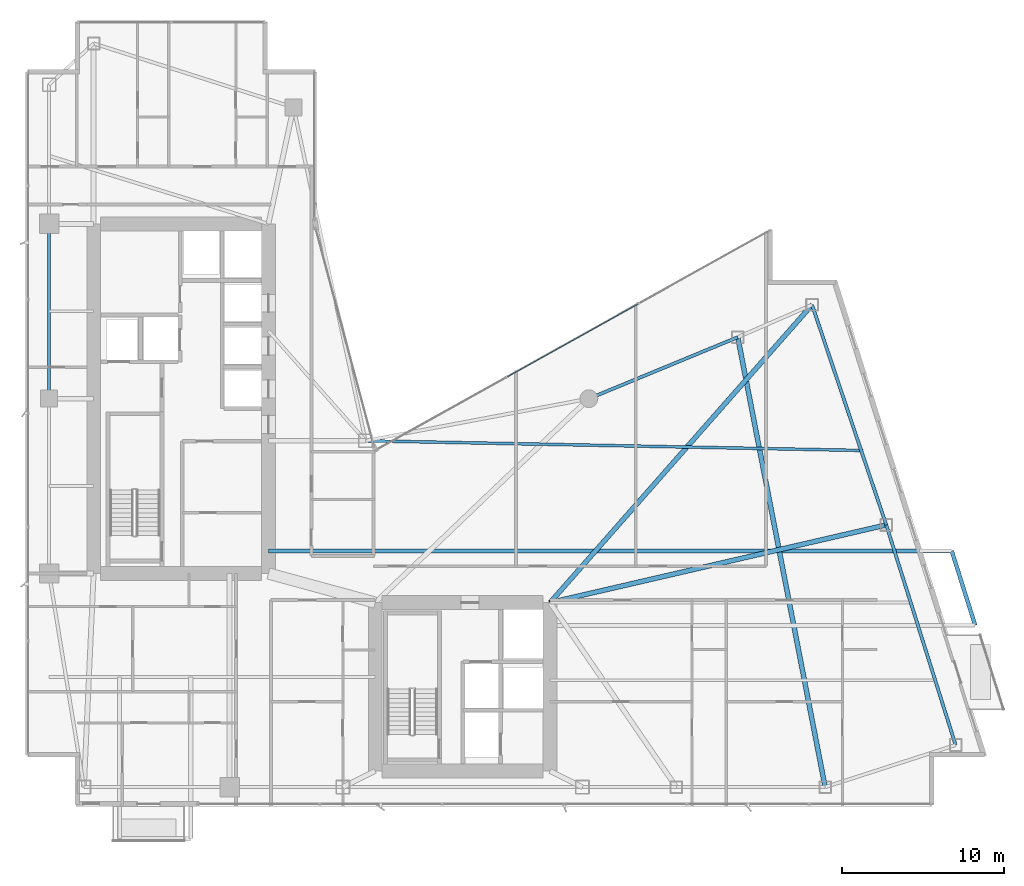
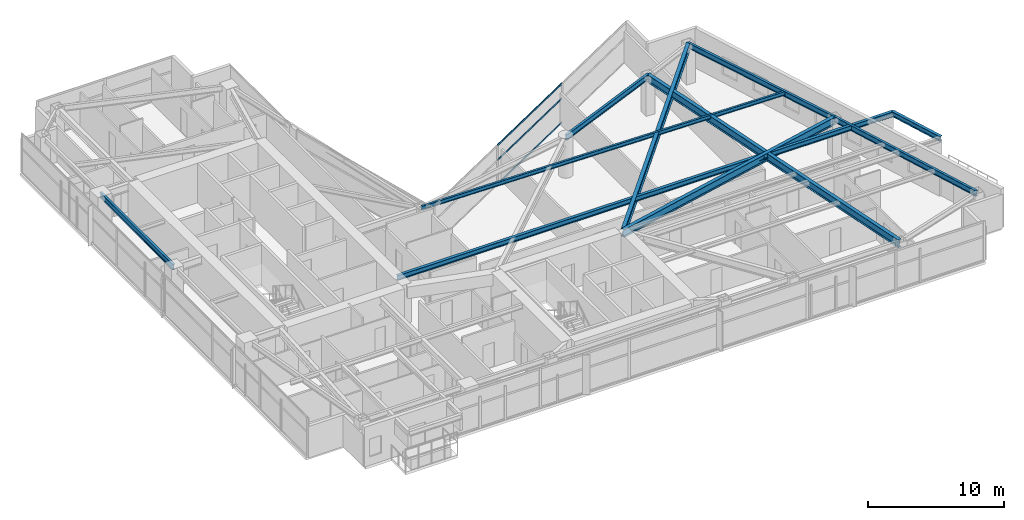
# One storey, part 15 of 28: 10 beams, 3 members, 1 element without a shape of its own.
"""IFC4 building model written with IfcOpenShell, lengths in metres."""

import ifcopenshell
import ifcopenshell.guid

model = None  # the IFC model being written
_history = None  # IfcOwnerHistory: only IFC2X3 demands one
_inside = {}  # id of a spatial element -> (the spatial element, [elements in it])
_under = {}  # id of a project, library or spatial element -> (it, [spatial elements below it])
_declared = {}  # id of a project -> (the project, [libraries it declares])
_typed = {}  # id of a type object -> (the type object, [elements of that type])
_made_of = {}  # id of a material, layer set ... -> (it, [elements and type objects made of it])


def new_model(schema):
    """Start an empty IFC model of exactly this schema.

    Asked for "IFC4X3", IfcOpenShell would pick the latest addendum, in which some entities
    have other attributes; the version numbers below select the first issue.
    IFC2X3 requires an IfcOwnerHistory on every rooted entity: one is made here for all.
    """
    global model, _history
    if schema == "IFC4X3":
        model = ifcopenshell.file(schema_version=(4, 3, 0, 0))
    else:
        model = ifcopenshell.file(schema=schema)
    _inside.clear()
    _under.clear()
    _declared.clear()
    _typed.clear()
    _made_of.clear()
    _history = None
    if model.schema == "IFC2X3":
        org = make("IfcOrganization", Name="unknown")
        user = make(
            "IfcPersonAndOrganization",
            ThePerson=make("IfcPerson", FamilyName="unknown"),
            TheOrganization=org,
        )
        app = make(
            "IfcApplication",
            ApplicationDeveloper=org,
            Version="unknown",
            ApplicationFullName="unknown",
            ApplicationIdentifier="unknown",
        )
        _history = make(
            "IfcOwnerHistory",
            OwningUser=user,
            OwningApplication=app,
            ChangeAction="ADDED",
            CreationDate=0,
        )
    return model


def make(cls, **values):
    """One entity of the class cls with the attributes given. An attribute that is None is left unset."""
    return model.create_entity(
        cls, **{name: value for name, value in values.items() if value is not None}
    )


def rooted(cls, **values):
    """An entity with a GlobalId (a new one), such as an element, a storey or a relation."""
    return make(cls, GlobalId=ifcopenshell.guid.new(), OwnerHistory=_history, **values)


def si_unit(unit_type, name, prefix=None):
    """IfcSIUnit, for example si_unit("LENGTHUNIT", "METRE", prefix="MILLI")."""
    return make("IfcSIUnit", UnitType=unit_type, Prefix=prefix, Name=name)


def assignment(units):
    """IfcUnitAssignment: the units of a project."""
    return None if units is None else make("IfcUnitAssignment", Units=units)


def point(xyz):
    """IfcCartesianPoint."""
    return None if xyz is None else make("IfcCartesianPoint", Coordinates=xyz)


def direction(xyz):
    """IfcDirection."""
    return None if xyz is None else make("IfcDirection", DirectionRatios=xyz)


def frame(location, z_axis=None, x_axis=None):
    """IfcAxis2Placement3D, a coordinate frame: its origin and axes. An axis left out is left unset."""
    return make(
        "IfcAxis2Placement3D",
        Location=point(location),
        Axis=direction(z_axis),
        RefDirection=direction(x_axis),
    )


def frame_2d(location, x_axis=None):
    """IfcAxis2Placement2D, a coordinate frame in the plane: its origin and x axis."""
    return make(
        "IfcAxis2Placement2D", Location=point(location), RefDirection=direction(x_axis)
    )


def origin():
    """The frame at (0, 0, 0) with its axes left unset."""
    return frame((0.0, 0.0, 0.0))


def origin_2d():
    """The frame at (0, 0) in the plane with its x axis left unset."""
    return frame_2d((0.0, 0.0))


def place(relative_to, where):
    """IfcLocalPlacement: puts the frame where relative to a parent placement (None: the world)."""
    return make(
        "IfcLocalPlacement", PlacementRelTo=relative_to, RelativePlacement=where
    )


def context(
    kind, dimensions, precision=None, world=None, true_north=None, identifier=None
):
    """IfcGeometricRepresentationContext, for example the 3D "Model" context."""
    return make(
        "IfcGeometricRepresentationContext",
        ContextIdentifier=identifier,
        ContextType=kind,
        CoordinateSpaceDimension=dimensions,
        Precision=precision,
        WorldCoordinateSystem=world,
        TrueNorth=true_north,
    )


def subcontext(parent, identifier, kind, view, scale=None):
    """IfcGeometricRepresentationSubContext, for example "Body" below "Model"."""
    return make(
        "IfcGeometricRepresentationSubContext",
        ContextIdentifier=identifier,
        ContextType=kind,
        ParentContext=parent,
        TargetScale=scale,
        TargetView=view,
    )


def project(units=None, contexts=None):
    """IfcProject with its units and contexts."""
    return rooted(
        "IfcProject",
        Name="project",
        RepresentationContexts=contexts,
        UnitsInContext=assignment(units),
    )


def spatial(cls, under=None, at=None, **own):
    """A site, building, storey or space (cls), placed at a placement, below another one or the project."""
    s = rooted(cls, ObjectPlacement=at, **own)
    if under is not None:
        _under.setdefault(under.id(), (under, []))[1].append(s)
    return s


def profile(cls, at=None, kind="AREA", **sizes):
    """A parametric profile (cls). Its sizes go by their IFC names, for example OverallWidth=200.0."""
    return make(cls, ProfileType=kind, Position=at, **sizes)


def hollow_rectangle(**sizes):
    """IfcRectangleHollowProfileDef."""
    return profile("IfcRectangleHollowProfileDef", **sizes)


def i_section(**sizes):
    """IfcIShapeProfileDef."""
    return profile("IfcIShapeProfileDef", **sizes)


def extrude(swept, where, along, depth):
    """IfcExtrudedAreaSolid: the profile swept, set in the frame where, extruded along a direction by depth."""
    return make(
        "IfcExtrudedAreaSolid",
        SweptArea=swept,
        Position=where,
        ExtrudedDirection=direction(along),
        Depth=depth,
    )


def shape(context_of_items, identifier, shape_type, items):
    """IfcShapeRepresentation: the items that make up one representation, for example the "Body"."""
    return make(
        "IfcShapeRepresentation",
        ContextOfItems=context_of_items,
        RepresentationIdentifier=identifier,
        RepresentationType=shape_type,
        Items=items,
    )


def material(Name=None, Category=None):
    """IfcMaterial."""
    return make("IfcMaterial", Name=Name, Category=Category)


def layer(
    of_material, thickness, ventilated=None, Name=None, Category=None, Priority=None
):
    """IfcMaterialLayer: one layer of a wall or slab, of a material (None: an air gap)."""
    return make(
        "IfcMaterialLayer",
        Material=of_material,
        LayerThickness=thickness,
        IsVentilated=ventilated,
        Name=Name,
        Category=Category,
        Priority=Priority,
    )


def layer_set(layers, Name=None):
    """IfcMaterialLayerSet."""
    return make("IfcMaterialLayerSet", MaterialLayers=layers, LayerSetName=Name)


def material_profile(
    of_material, cross_section, Name=None, Category=None, Priority=None
):
    """IfcMaterialProfile: a cross section and its material."""
    return make(
        "IfcMaterialProfile",
        Name=Name,
        Material=of_material,
        Profile=cross_section,
        Priority=Priority,
        Category=Category,
    )


def profile_set(profiles, Name=None, composite=None):
    """IfcMaterialProfileSet."""
    return make(
        "IfcMaterialProfileSet",
        Name=Name,
        MaterialProfiles=profiles,
        CompositeProfile=composite,
    )


def made_of(thing, what):
    """Note that an element or type object is made of a material, layer set ...; save() writes the relation."""
    if what is not None:
        _made_of.setdefault(what.id(), (what, []))[1].append(thing)
    return thing


def type_object(cls, material=None, **own):
    """A type object (cls), such as IfcWallType, which elements share."""
    return made_of(rooted(cls, **own), material)


def element(
    cls,
    number,
    at=None,
    inside=None,
    cuts=None,
    type_object=None,
    material=None,
    context=None,
    identifier="Body",
    shape_type=None,
    held_by="IfcProductDefinitionShape",
    body=None,
    shapes=None,
    **own,
):
    """One element of the class cls, such as IfcWall. Its Tag is "e" and its number.

    at: its placement. inside: the storey or other place that contains it. cuts: it is an
    opening in that element (IfcRelVoidsElement). A single representation is given by context,
    identifier, shape_type and body (its items); several are given by shapes. held_by: the class
    of the entity that holds the representations. save() writes the other relations.
    """
    e = rooted(cls, Tag="e%d" % number, ObjectPlacement=at, **own)
    if body is not None:
        shapes = [shape(context, identifier, shape_type, body)]
    if shapes is not None:
        e.Representation = make(held_by, Representations=shapes)
    if inside is not None:
        _inside.setdefault(inside.id(), (inside, []))[1].append(e)
    if cuts is not None:
        rooted(
            "IfcRelVoidsElement", RelatingBuildingElement=cuts, RelatedOpeningElement=e
        )
    if type_object is not None:
        _typed.setdefault(type_object.id(), (type_object, []))[1].append(e)
    return made_of(e, material)


def aggregate(whole, parts):
    """IfcRelAggregates: a whole, such as a stair, and the parts it consists of."""
    return rooted("IfcRelAggregates", RelatingObject=whole, RelatedObjects=parts)


def save(model, path):
    """Write the relations noted so far, then the file.

    IfcRelAggregates (storeys below a building ...), IfcRelContainedInSpatialStructure (elements
    in a storey), IfcRelDefinesByType, IfcRelAssociatesMaterial and IfcRelDeclares: one each for
    every whole, place, type object, material and project.
    """
    for whole, parts in _under.values():
        aggregate(whole, parts)
    for where, things in _inside.values():
        rooted(
            "IfcRelContainedInSpatialStructure",
            RelatedElements=things,
            RelatingStructure=where,
        )
    for kind, things in _typed.values():
        rooted("IfcRelDefinesByType", RelatedObjects=things, RelatingType=kind)
    for what, things in _made_of.values():
        rooted("IfcRelAssociatesMaterial", RelatedObjects=things, RelatingMaterial=what)
    for by, libraries in _declared.values():
        rooted("IfcRelDeclares", RelatingContext=by, RelatedDefinitions=libraries)
    model.write(path)


model = new_model("IFC4")

# Units and contexts
model_context = context("Model", 3, precision=1e-05, world=origin(), true_north=direction((0.0, 1.0)))
body_context = subcontext(model_context, "Body", "Model", "MODEL_VIEW")
ifc_project = project(units=[si_unit("LENGTHUNIT", "METRE"), si_unit("AREAUNIT", "SQUARE_METRE"), si_unit("VOLUMEUNIT", "CUBIC_METRE"), si_unit("PLANEANGLEUNIT", "RADIAN"), si_unit("MASSUNIT", "GRAM", prefix="KILO")], contexts=[model_context])

# Site, building, storey
site_placement = place(None, origin())
site = spatial("IfcSite", under=ifc_project, at=site_placement, CompositionType="ELEMENT")
building_placement = place(site_placement, origin())
building = spatial("IfcBuilding", under=site, at=building_placement, Name="Calvorn Quay Hotel", CompositionType="ELEMENT")
storey_placement = place(building_placement, frame((0.0, 0.0, 101.199951171875)))
storey = spatial("IfcBuildingStorey", under=building, at=storey_placement, Name="L24", CompositionType="ELEMENT", Elevation=101.199951171875)

# Beams
ifc_material_1 = material(Name="Steel Q355B", Category="steel")
ifc_material_profile_1 = material_profile(ifc_material_1, i_section(OverallWidth=0.25, OverallDepth=0.449951171875, WebThickness=0.011962890625, FlangeThickness=0.01611328125, FilletRadius=0.01611328125, at=origin_2d()), Name="HN450x250x12x16")
ifc_profile_set_1 = profile_set([ifc_material_profile_1], Name="Steel Q355B")
beam_type_1 = type_object("IfcBeamType", Name="BM-CANT-BALC", PredefinedType="BEAM", material=ifc_profile_set_1)
beam_1_placement = place(storey_placement, frame((15.0, 18.199951171875, 3.31494140625), z_axis=(1.0, 0.0, 0.0), x_axis=(0.0, 1.0, 0.0)))
element("IfcBeam", 1, at=beam_1_placement, inside=storey, type_object=beam_type_1, Name="Cantilever Balcony Beam BCB-L25-1B", PredefinedType="BEAM", context=body_context, shape_type="SweptSolid", body=[
    extrude(i_section(OverallWidth=0.25, OverallDepth=0.449951171875, WebThickness=0.011962890625, FlangeThickness=0.01611328125, FilletRadius=0.01611328125, at=origin_2d()), origin(), (0.0, 0.0, 1.0), 42.219970703125),
])
beam_2_placement = place(storey_placement, frame((58.6689453125, 13.60009765625, 3.31494140625), z_axis=(-0.300450487966, 0.953797412599, 0.0), x_axis=(-0.953797412599, -0.300450487966, 0.0)))
element("IfcBeam", 2, at=beam_2_placement, inside=storey, type_object=beam_type_1, Name="Beam BCBO-L25-1", PredefinedType="BEAM", context=body_context, shape_type="SweptSolid", body=[
    extrude(i_section(OverallWidth=0.25, OverallDepth=0.449951171875, WebThickness=0.011962890625, FlangeThickness=0.01611328125, FilletRadius=0.01611328125, at=origin_2d()), origin(), (0.0, 0.0, 1.0), 4.82275390625),
])
ifc_material_2 = material(Name="Steel Q390GJC", Category="steel")
ifc_material_profile_2 = material_profile(ifc_material_2, i_section(OverallWidth=0.300048828125, OverallDepth=0.699951171875, WebThickness=0.012939453125, FlangeThickness=0.02392578125, FilletRadius=0.02392578125, at=origin_2d()), Name="HN700x300x13x24")
ifc_profile_set_2 = profile_set([ifc_material_profile_2], Name="Steel Q390GJC")
beam_type_2 = type_object("IfcBeamType", Name="BM-GIRD-MAIN", PredefinedType="BEAM", material=ifc_profile_set_2)
beam_3_placement = place(storey_placement, frame((32.39990234375, 15.0, 3.18994140625), z_axis=(0.974334045812, 0.225107012711, 0.0), x_axis=(-0.225107012711, 0.974334045812, 0.0)))
element("IfcBeam", 3, at=beam_3_placement, inside=storey, type_object=beam_type_2, Name="Beam BG-L24-E2", PredefinedType="BEAM", context=body_context, shape_type="SweptSolid", body=[
    extrude(i_section(OverallWidth=0.300048828125, OverallDepth=0.699951171875, WebThickness=0.012939453125, FlangeThickness=0.02392578125, FilletRadius=0.02392578125, at=origin_2d()), origin(), (0.0, 0.0, 1.0), 21.323486328125),
])
beam_4_placement = place(storey_placement, frame((32.39990234375, 15.0, 3.18994140625), z_axis=(0.660610604248, 0.750728732336, 0.0), x_axis=(-0.750728732336, 0.660610604248, 0.0)))
element("IfcBeam", 4, at=beam_4_placement, inside=storey, type_object=beam_type_2, Name="Beam BG-L24-E3", PredefinedType="BEAM", context=body_context, shape_type="SweptSolid", body=[
    extrude(i_section(OverallWidth=0.300048828125, OverallDepth=0.699951171875, WebThickness=0.012939453125, FlangeThickness=0.02392578125, FilletRadius=0.02392578125, at=origin_2d()), origin(), (0.0, 0.0, 1.0), 24.50927734375),
])
beam_5_placement = place(storey_placement, frame((49.39990234375, 3.60009765625, 3.18994140625), z_axis=(-0.190678596862, 0.981652521363, 0.0), x_axis=(-0.981652521363, -0.190678596862, 0.0)))
element("IfcBeam", 5, at=beam_5_placement, inside=storey, type_object=beam_type_2, Name="Beam BG-L24-E5", PredefinedType="BEAM", context=body_context, shape_type="SweptSolid", body=[
    extrude(i_section(OverallWidth=0.300048828125, OverallDepth=0.699951171875, WebThickness=0.012939453125, FlangeThickness=0.02392578125, FilletRadius=0.02392578125, at=origin_2d()), origin(), (0.0, 0.0, 1.0), 28.3193359375),
])
ifc_material_3 = material(Name="Steel Q355B", Category="steel")
ifc_material_profile_3 = material_profile(ifc_material_3, i_section(OverallWidth=0.175048828125, OverallDepth=0.35009765625, WebThickness=0.007080078125, FlangeThickness=0.010986328125, FilletRadius=0.013916015625, at=origin_2d()), Name="HN350x175x7x11")
ifc_profile_set_3 = profile_set([ifc_material_profile_3], Name="Steel Q355B")
beam_type_3 = type_object("IfcBeamType", Name="BM-JOIST-SEC", PredefinedType="JOIST", material=ifc_profile_set_3)
beam_6_placement = place(storey_placement, frame((21.0, 25.0, 3.364990234375), z_axis=(0.999809345134, -0.019526222968, 0.0), x_axis=(0.019526222968, 0.999809345134, 0.0)))
element("IfcBeam", 6, at=beam_6_placement, inside=storey, type_object=beam_type_3, Name="Beam BJ-L24-E3", PredefinedType="JOIST", context=body_context, shape_type="SweptSolid", body=[
    extrude(i_section(OverallWidth=0.175048828125, OverallDepth=0.35009765625, WebThickness=0.007080078125, FlangeThickness=0.010986328125, FilletRadius=0.013916015625, at=origin_2d()), origin(), (0.0, 0.0, 1.0), 30.73291015625),
])
ifc_material_4 = material(Name="Steel Q355B", Category="steel")
ifc_material_profile_4 = material_profile(ifc_material_4, i_section(OverallWidth=0.199951171875, OverallDepth=0.5, WebThickness=0.010009765625, FlangeThickness=0.01611328125, FilletRadius=0.01611328125, at=origin_2d()), Name="HN500x200x10x16")
ifc_profile_set_4 = profile_set([ifc_material_profile_4], Name="Steel Q355B")
beam_type_4 = type_object("IfcBeamType", Name="BM-SPANDREL-Z1", PredefinedType="SPANDREL", material=ifc_profile_set_4)
beam_7_placement = place(storey_placement, frame((1.449951171875, 27.60009765625, 3.2900390625), z_axis=(0.0, 1.0, 0.0), x_axis=(-1.0, 0.0, 0.0)))
element("IfcBeam", 7, at=beam_7_placement, inside=storey, type_object=beam_type_4, Name="Beam BSP-L24-W3", PredefinedType="SPANDREL", context=body_context, shape_type="SweptSolid", body=[
    extrude(i_section(OverallWidth=0.199951171875, OverallDepth=0.5, WebThickness=0.010009765625, FlangeThickness=0.01611328125, FilletRadius=0.01611328125, at=origin_2d()), origin(), (0.0, 0.0, 1.0), 10.7998046875),
])
beam_8_placement = place(storey_placement, frame((57.4609375, 6.199951171875, 3.2900390625), z_axis=(-0.300502802767, 0.953780931624, 0.0), x_axis=(-0.953780931624, -0.300502802767, 0.0)))
element("IfcBeam", 8, at=beam_8_placement, inside=storey, type_object=beam_type_4, Name="Beam BSP-L24-E1", PredefinedType="SPANDREL", context=body_context, shape_type="SweptSolid", body=[
    extrude(i_section(OverallWidth=0.199951171875, OverallDepth=0.5, WebThickness=0.010009765625, FlangeThickness=0.01611328125, FilletRadius=0.01611328125, at=origin_2d()), origin(), (0.0, 0.0, 1.0), 14.259033203125),
])
beam_9_placement = place(storey_placement, frame((53.176025390625, 19.800048828125, 3.2900390625), z_axis=(-0.319466515944, 0.947597564998, 0.0), x_axis=(-0.947597564998, -0.319466515944, 0.0)))
element("IfcBeam", 9, at=beam_9_placement, inside=storey, type_object=beam_type_4, Name="Beam BSP-L24-E2", PredefinedType="SPANDREL", context=body_context, shape_type="SweptSolid", body=[
    extrude(i_section(OverallWidth=0.199951171875, OverallDepth=0.5, WebThickness=0.010009765625, FlangeThickness=0.01611328125, FilletRadius=0.01611328125, at=origin_2d()), origin(), (0.0, 0.0, 1.0), 14.35205078125),
])
beam_10_placement = place(storey_placement, frame((44.0, 31.39990234375, 3.2900390625), z_axis=(-0.92426763497, -0.381745123017, 0.0), x_axis=(0.381745123017, -0.92426763497, 0.0)))
element("IfcBeam", 10, at=beam_10_placement, inside=storey, type_object=beam_type_4, Name="Beam BSP-L24-E4", PredefinedType="SPANDREL", context=body_context, shape_type="SweptSolid", body=[
    extrude(i_section(OverallWidth=0.199951171875, OverallDepth=0.5, WebThickness=0.010009765625, FlangeThickness=0.01611328125, FilletRadius=0.01611328125, at=origin_2d()), origin(), (0.0, 0.0, 1.0), 9.953857421875),
])

# Curtain wall, members
ifc_material_5 = material(Name="Pale Anodised Aluminium and Low-E Glass", Category="aluminium")
ifc_layer = layer(ifc_material_5, 0.219970703125)
ifc_layer_set = layer_set([ifc_layer], Name="CW-SYS-Z2")
curtain_wall_type = type_object("IfcCurtainWallType", Name="CW-SYS-Z2", PredefinedType="NOTDEFINED", material=ifc_layer_set)
curtain_wall_placement = place(storey_placement, origin())
curtain_wall = element("IfcCurtainWall", 11, at=curtain_wall_placement, inside=storey, type_object=curtain_wall_type, Name="Inner Court Curtain Wall L24-NE1", PredefinedType="NOTDEFINED")
ifc_material_6 = material(Name="Pale Anodised Aluminium 6063-T6", Category="aluminium")
ifc_material_profile_5 = material_profile(ifc_material_6, hollow_rectangle(XDim=0.06005859375, YDim=0.14990234375, WallThickness=0.00341796875, at=origin_2d()), Name="ALU-T150x60x3.5")
ifc_profile_set_5 = profile_set([ifc_material_profile_5], Name="Pale Anodised Aluminium 6063-T6")
member_type = type_object("IfcMemberType", Name="CW-SYS-Z2-TRN", PredefinedType="USERDEFINED", material=ifc_profile_set_5)
member_1_placement = place(storey_placement, frame((37.840576171875, 33.4521484375, 0.030029296875), z_axis=(-0.873483012802, -0.486854625474, 0.0), x_axis=(0.486854625474, -0.873483012802, 0.0)))
member_1 = element("IfcMember", 12, at=member_1_placement, type_object=member_type, Name="CW-L24-NE1 transom 2.1", ObjectType="TRANSOM", PredefinedType="USERDEFINED", context=body_context, shape_type="SweptSolid", body=[
    extrude(hollow_rectangle(XDim=0.06005859375, YDim=0.14990234375, WallThickness=0.00341796875, at=origin_2d()), origin(), (0.0, 0.0, 1.0), 9.25146484375),
])
member_2_placement = place(storey_placement, frame((37.840576171875, 33.4521484375, 2.199951171875), z_axis=(-0.873483012802, -0.486854625474, 0.0), x_axis=(0.486854625474, -0.873483012802, 0.0)))
member_2 = element("IfcMember", 13, at=member_2_placement, type_object=member_type, Name="CW-L24-NE1 transom 2.2", ObjectType="TRANSOM", PredefinedType="USERDEFINED", context=body_context, shape_type="SweptSolid", body=[
    extrude(hollow_rectangle(XDim=0.06005859375, YDim=0.14990234375, WallThickness=0.00341796875, at=origin_2d()), origin(), (0.0, 0.0, 1.0), 9.25146484375),
])
member_3_placement = place(storey_placement, frame((37.840576171875, 33.4521484375, 3.530029296875), z_axis=(-0.873483012802, -0.486854625474, 0.0), x_axis=(0.486854625474, -0.873483012802, 0.0)))
member_3 = element("IfcMember", 14, at=member_3_placement, type_object=member_type, Name="CW-L24-NE1 transom 2.3", ObjectType="TRANSOM", PredefinedType="USERDEFINED", context=body_context, shape_type="SweptSolid", body=[
    extrude(hollow_rectangle(XDim=0.06005859375, YDim=0.14990234375, WallThickness=0.00341796875, at=origin_2d()), origin(), (0.0, 0.0, 1.0), 9.25146484375),
])
aggregate(curtain_wall, [member_1, member_2, member_3])

save(model, "model.ifc")
